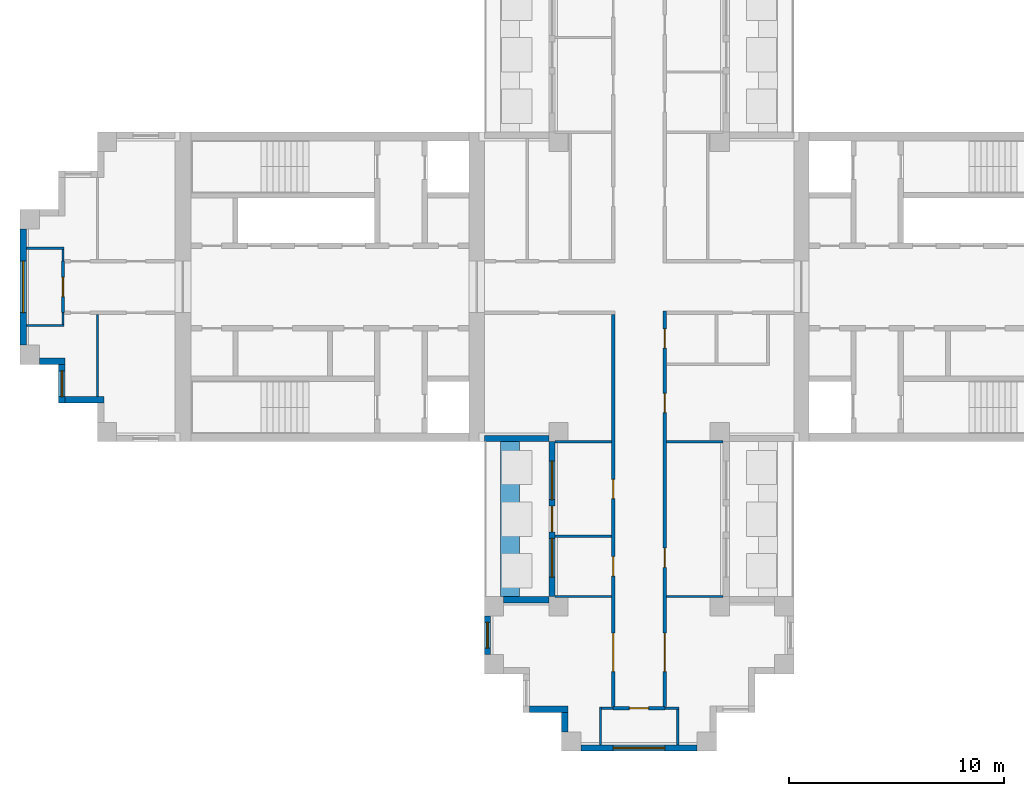
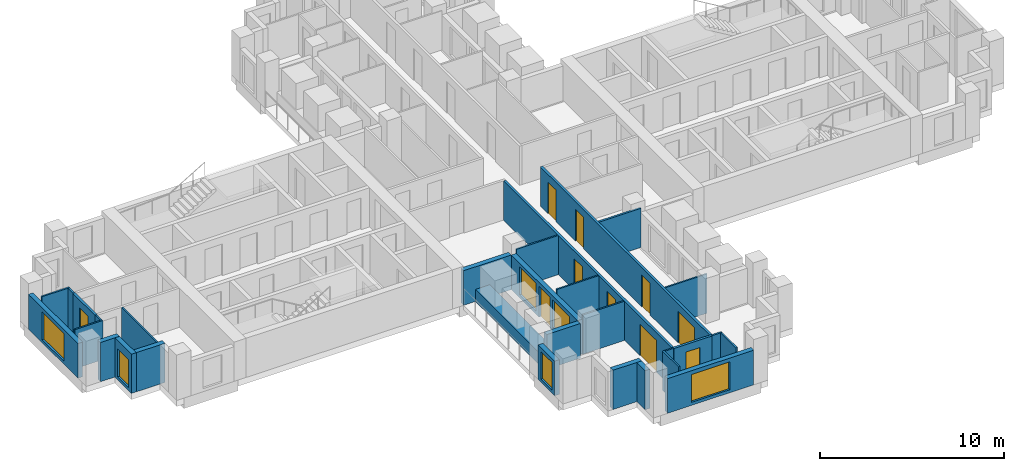
# One storey, part 2 of 10: 30 walls, 10 doors, 6 windows, 16 openings.
"""IFC4 building model written with IfcOpenShell, lengths in metres."""

from ifc_helpers import new_model, si_unit, direction, frame, frame_2d, origin, place, context, subcontext, project, spatial, rectangle, extrude, material, layer, layer_set, type_object, element, fill, save


model = new_model("IFC4")

# Units and contexts
model_context = context("Model", 3, precision=1e-05, world=origin(), true_north=direction((0.0, 1.0)))
body_context = subcontext(model_context, "Body", "Model", "MODEL_VIEW")
ifc_project = project(units=[si_unit("LENGTHUNIT", "METRE"), si_unit("AREAUNIT", "SQUARE_METRE"), si_unit("VOLUMEUNIT", "CUBIC_METRE"), si_unit("PLANEANGLEUNIT", "RADIAN"), si_unit("MASSUNIT", "GRAM", prefix="KILO")], contexts=[model_context])

# Site, building, storey
site_placement = place(None, origin())
site = spatial("IfcSite", under=ifc_project, at=site_placement, CompositionType="ELEMENT")
building_placement = place(site_placement, origin())
building = spatial("IfcBuilding", under=site, at=building_placement, Name="Fustian Cross Tower", CompositionType="ELEMENT")
storey_placement = place(building_placement, frame((0.0, 0.0, 213.89990234375)))
storey = spatial("IfcBuildingStorey", under=building, at=storey_placement, Name="L67", CompositionType="ELEMENT", Elevation=213.89990234375)

# Wall, opening, door
ifc_material_1 = material(Name="Plasterboard on steel stud", Category="steel")
ifc_layer_1 = layer(ifc_material_1, 0.14990234375)
ifc_layer_set_1 = layer_set([ifc_layer_1], Name="Plasterboard on steel stud")
wall_type_1 = type_object("IfcWallType", Name="COMPARTMENT WALL 150 EI 60", PredefinedType="PARTITIONING", material=ifc_layer_set_1)
wall_1_placement = place(storey_placement, frame((-26.800048828125, -1.199951171875, 0.0), z_axis=(0.0, 0.0, 1.0), x_axis=(0.0, 1.0, 0.0)))
wall_1 = element("IfcWall", 1, at=wall_1_placement, inside=storey, type_object=wall_type_1, Name="Partition 4", PredefinedType="PARTITIONING", context=body_context, shape_type="SweptSolid", body=[
    extrude(rectangle(XDim=2.39990234375, YDim=0.14990234375, at=frame_2d((1.199951171875, 0.0))), origin(), (0.0, 0.0, 1.0), 2.60009765625),
])
opening_1_placement = place(wall_1_placement, frame((0.75, 0.0, 0.0)))
opening_1 = element("IfcOpeningElement", 2, at=opening_1_placement, cuts=wall_1, Name="Opening D30025", PredefinedType="OPENING", context=body_context, shape_type="SweptSolid", body=[
    extrude(rectangle(XDim=0.89990234375, YDim=2.10009765625, at=frame_2d((0.449951171875, 1.050048828125))), frame((0.0, 0.0849609375, 0.0), z_axis=(0.0, -1.0, 0.0), x_axis=(1.0, 0.0, 0.0)), (0.0, 0.0, 1.0), 0.169921875),
])
ifc_material_2 = material(Name="Timber fire door set", Category="wood")
door_type_1 = type_object("IfcDoorType", Name="FIRE SWING DOOR 900 FD30S", OperationType="SINGLE_SWING_LEFT", PredefinedType="DOOR", material=ifc_material_2)
door_1_placement = place(opening_1_placement, origin())
door_1 = element("IfcDoor", 3, at=door_1_placement, inside=storey, type_object=door_type_1, Name="Door D30025", OperationType="SINGLE_SWING_LEFT", OverallHeight=2.10009765625, OverallWidth=0.89990234375, PredefinedType="DOOR", context=body_context, shape_type="SweptSolid", body=[
    extrude(rectangle(XDim=0.89990234375, YDim=2.10009765625, at=frame_2d((0.449951171875, 1.050048828125))), frame((0.0, 0.02490234375, 0.0), z_axis=(0.0, -1.0, 0.0), x_axis=(1.0, 0.0, 0.0)), (0.0, 0.0, 1.0), 0.050048828125),
])
fill(opening_1, door_1)

# Wall, openings, doors
wall_2_placement = place(storey_placement, frame((-1.199951171875, -19.52490234375, 0.0), z_axis=(0.0, 0.0, 1.0), x_axis=(0.0, 1.0, 0.0)))
wall_2 = element("IfcWall", 4, at=wall_2_placement, inside=storey, type_object=wall_type_1, Name="Partition 28", PredefinedType="PARTITIONING", context=body_context, shape_type="SweptSolid", body=[
    extrude(rectangle(XDim=18.25, YDim=0.14990234375, at=frame_2d((9.125, 0.0))), origin(), (0.0, 0.0, 1.0), 2.60009765625),
])
opening_2_placement = place(wall_2_placement, frame((6.074951171875, 0.0, 0.0)))
opening_2 = element("IfcOpeningElement", 5, at=opening_2_placement, cuts=wall_2, Name="Opening D30033", PredefinedType="OPENING", context=body_context, shape_type="SweptSolid", body=[
    extrude(rectangle(XDim=0.89990234375, YDim=2.10009765625, at=frame_2d((0.449951171875, 1.050048828125))), frame((0.0, 0.0849609375, 0.0), z_axis=(0.0, -1.0, 0.0), x_axis=(1.0, 0.0, 0.0)), (0.0, 0.0, 1.0), 0.169921875),
])
opening_3_placement = place(wall_2_placement, frame((9.675048828125, 0.0, 0.0)))
opening_3 = element("IfcOpeningElement", 6, at=opening_3_placement, cuts=wall_2, Name="Opening D30034", PredefinedType="OPENING", context=body_context, shape_type="SweptSolid", body=[
    extrude(rectangle(XDim=0.89990234375, YDim=2.10009765625, at=frame_2d((0.449951171875, 1.050048828125))), frame((0.0, 0.0849609375, 0.0), z_axis=(0.0, -1.0, 0.0), x_axis=(1.0, 0.0, 0.0)), (0.0, 0.0, 1.0), 0.169921875),
])
opening_4_placement = place(wall_2_placement, frame((1.625, 0.0, 0.0)))
opening_4 = element("IfcOpeningElement", 7, at=opening_4_placement, cuts=wall_2, Name="Opening D30035", PredefinedType="OPENING", context=body_context, shape_type="SweptSolid", body=[
    extrude(rectangle(XDim=1.800048828125, YDim=2.10009765625, at=frame_2d((0.89990234375, 1.050048828125))), frame((0.0, 0.0849609375, 0.0), z_axis=(0.0, -1.0, 0.0), x_axis=(1.0, 0.0, 0.0)), (0.0, 0.0, 1.0), 0.169921875),
])
ifc_material_3 = material(Name="Timber fire door set", Category="wood")
door_type_2 = type_object("IfcDoorType", Name="FIRE DOUBLE DOOR 1800 FD30S", OperationType="DOUBLE_DOOR_DOUBLE_SWING", PredefinedType="DOOR", material=ifc_material_3)
door_2_placement = place(opening_4_placement, frame((1.800048828125, 0.0, 0.0), z_axis=(0.0, 0.0, 1.0), x_axis=(-1.0, 0.0, 0.0)))
door_2 = element("IfcDoor", 8, at=door_2_placement, inside=storey, type_object=door_type_2, Name="Door D30035", OperationType="DOUBLE_DOOR_DOUBLE_SWING", OverallHeight=2.10009765625, OverallWidth=1.800048828125, PredefinedType="DOOR", context=body_context, shape_type="SweptSolid", body=[
    extrude(rectangle(XDim=1.800048828125, YDim=2.10009765625, at=frame_2d((0.89990234375, 1.050048828125))), frame((0.0, 0.02490234375, 0.0), z_axis=(0.0, -1.0, 0.0), x_axis=(1.0, 0.0, 0.0)), (0.0, 0.0, 1.0), 0.050048828125),
])
fill(opening_4, door_2)
door_3_placement = place(opening_2_placement, origin())
door_3 = element("IfcDoor", 9, at=door_3_placement, inside=storey, type_object=door_type_1, Name="Door D30033", OperationType="SINGLE_SWING_LEFT", OverallHeight=2.10009765625, OverallWidth=0.89990234375, PredefinedType="DOOR", context=body_context, shape_type="SweptSolid", body=[
    extrude(rectangle(XDim=0.89990234375, YDim=2.10009765625, at=frame_2d((0.449951171875, 1.050048828125))), frame((0.0, 0.02490234375, 0.0), z_axis=(0.0, -1.0, 0.0), x_axis=(1.0, 0.0, 0.0)), (0.0, 0.0, 1.0), 0.050048828125),
])
fill(opening_2, door_3)
door_4_placement = place(opening_3_placement, origin())
door_4 = element("IfcDoor", 10, at=door_4_placement, inside=storey, type_object=door_type_1, Name="Door D30034", OperationType="SINGLE_SWING_LEFT", OverallHeight=2.10009765625, OverallWidth=0.89990234375, PredefinedType="DOOR", context=body_context, shape_type="SweptSolid", body=[
    extrude(rectangle(XDim=0.89990234375, YDim=2.10009765625, at=frame_2d((0.449951171875, 1.050048828125))), frame((0.0, 0.02490234375, 0.0), z_axis=(0.0, -1.0, 0.0), x_axis=(1.0, 0.0, 0.0)), (0.0, 0.0, 1.0), 0.050048828125),
])
fill(opening_3, door_4)

# Wall, opening, door
wall_3_placement = place(storey_placement, frame((-1.199951171875, -19.60009765625, 0.0), z_axis=(0.0, 0.0, 1.0), x_axis=(1.0, 0.0, 0.0)))
wall_3 = element("IfcWall", 11, at=wall_3_placement, inside=storey, type_object=wall_type_1, Name="Partition 29", PredefinedType="PARTITIONING", context=body_context, shape_type="SweptSolid", body=[
    extrude(rectangle(XDim=2.39990234375, YDim=0.14990234375, at=frame_2d((1.199951171875, 0.0))), origin(), (0.0, 0.0, 1.0), 2.60009765625),
])
opening_5_placement = place(wall_3_placement, frame((0.75, 0.0, 0.0)))
opening_5 = element("IfcOpeningElement", 12, at=opening_5_placement, cuts=wall_3, Name="Opening D30030", PredefinedType="OPENING", context=body_context, shape_type="SweptSolid", body=[
    extrude(rectangle(XDim=0.89990234375, YDim=2.10009765625, at=frame_2d((0.449951171875, 1.050048828125))), frame((0.0, 0.0849609375, 0.0), z_axis=(0.0, -1.0, 0.0), x_axis=(1.0, 0.0, 0.0)), (0.0, 0.0, 1.0), 0.169921875),
])
door_5_placement = place(opening_5_placement, frame((0.89990234375, 0.0, 0.0), z_axis=(0.0, 0.0, 1.0), x_axis=(-1.0, 0.0, 0.0)))
door_5 = element("IfcDoor", 13, at=door_5_placement, inside=storey, type_object=door_type_1, Name="Door D30030", OperationType="SINGLE_SWING_RIGHT", OverallHeight=2.10009765625, OverallWidth=0.89990234375, PredefinedType="DOOR", context=body_context, shape_type="SweptSolid", body=[
    extrude(rectangle(XDim=0.89990234375, YDim=2.10009765625, at=frame_2d((0.449951171875, 1.050048828125))), frame((0.0, 0.02490234375, 0.0), z_axis=(0.0, -1.0, 0.0), x_axis=(1.0, 0.0, 0.0)), (0.0, 0.0, 1.0), 0.050048828125),
])
fill(opening_5, door_5)

# Wall, openings, doors
wall_4_placement = place(storey_placement, frame((1.199951171875, -19.52490234375, 0.0), z_axis=(0.0, 0.0, 1.0), x_axis=(0.0, 1.0, 0.0)))
wall_4 = element("IfcWall", 14, at=wall_4_placement, inside=storey, type_object=wall_type_1, Name="Partition 32", PredefinedType="PARTITIONING", context=body_context, shape_type="SweptSolid", body=[
    extrude(rectangle(XDim=18.39990234375, YDim=0.14990234375, at=frame_2d((9.199951171875, 0.0))), origin(), (0.0, 0.0, 1.0), 2.60009765625),
])
opening_6_placement = place(wall_4_placement, frame((16.675048828125, 0.0, 0.0)))
opening_6 = element("IfcOpeningElement", 15, at=opening_6_placement, cuts=wall_4, Name="Opening D30006", PredefinedType="OPENING", context=body_context, shape_type="SweptSolid", body=[
    extrude(rectangle(XDim=0.89990234375, YDim=2.10009765625, at=frame_2d((0.449951171875, 1.050048828125))), frame((0.0, 0.0849609375, 0.0), z_axis=(0.0, -1.0, 0.0), x_axis=(1.0, 0.0, 0.0)), (0.0, 0.0, 1.0), 0.169921875),
])
opening_7_placement = place(wall_4_placement, frame((13.675048828125, 0.0, 0.0)))
opening_7 = element("IfcOpeningElement", 16, at=opening_7_placement, cuts=wall_4, Name="Opening D30008", PredefinedType="OPENING", context=body_context, shape_type="SweptSolid", body=[
    extrude(rectangle(XDim=0.89990234375, YDim=2.10009765625, at=frame_2d((0.449951171875, 1.050048828125))), frame((0.0, 0.0849609375, 0.0), z_axis=(0.0, -1.0, 0.0), x_axis=(1.0, 0.0, 0.0)), (0.0, 0.0, 1.0), 0.169921875),
])
opening_8_placement = place(wall_4_placement, frame((6.47509765625, 0.0, 0.0)))
opening_8 = element("IfcOpeningElement", 17, at=opening_8_placement, cuts=wall_4, Name="Opening D30031", PredefinedType="OPENING", context=body_context, shape_type="SweptSolid", body=[
    extrude(rectangle(XDim=0.89990234375, YDim=2.10009765625, at=frame_2d((0.449951171875, 1.050048828125))), frame((0.0, 0.0849609375, 0.0), z_axis=(0.0, -1.0, 0.0), x_axis=(1.0, 0.0, 0.0)), (0.0, 0.0, 1.0), 0.169921875),
])
opening_9_placement = place(wall_4_placement, frame((1.625, 0.0, 0.0)))
opening_9 = element("IfcOpeningElement", 18, at=opening_9_placement, cuts=wall_4, Name="Opening D30032", PredefinedType="OPENING", context=body_context, shape_type="SweptSolid", body=[
    extrude(rectangle(XDim=1.800048828125, YDim=2.10009765625, at=frame_2d((0.89990234375, 1.050048828125))), frame((0.0, 0.0849609375, 0.0), z_axis=(0.0, -1.0, 0.0), x_axis=(1.0, 0.0, 0.0)), (0.0, 0.0, 1.0), 0.169921875),
])
door_6_placement = place(opening_9_placement, origin())
door_6 = element("IfcDoor", 19, at=door_6_placement, inside=storey, type_object=door_type_2, Name="Door D30032", OperationType="DOUBLE_DOOR_DOUBLE_SWING", OverallHeight=2.10009765625, OverallWidth=1.800048828125, PredefinedType="DOOR", context=body_context, shape_type="SweptSolid", body=[
    extrude(rectangle(XDim=1.800048828125, YDim=2.10009765625, at=frame_2d((0.89990234375, 1.050048828125))), frame((0.0, 0.02490234375, 0.0), z_axis=(0.0, -1.0, 0.0), x_axis=(1.0, 0.0, 0.0)), (0.0, 0.0, 1.0), 0.050048828125),
])
fill(opening_9, door_6)
door_7_placement = place(opening_6_placement, frame((0.89990234375, 0.0, 0.0), z_axis=(0.0, 0.0, 1.0), x_axis=(-1.0, 0.0, 0.0)))
door_7 = element("IfcDoor", 20, at=door_7_placement, inside=storey, type_object=door_type_1, Name="Door D30006", OperationType="SINGLE_SWING_RIGHT", OverallHeight=2.10009765625, OverallWidth=0.89990234375, PredefinedType="DOOR", context=body_context, shape_type="SweptSolid", body=[
    extrude(rectangle(XDim=0.89990234375, YDim=2.10009765625, at=frame_2d((0.449951171875, 1.050048828125))), frame((0.0, 0.02490234375, 0.0), z_axis=(0.0, -1.0, 0.0), x_axis=(1.0, 0.0, 0.0)), (0.0, 0.0, 1.0), 0.050048828125),
])
fill(opening_6, door_7)
door_8_placement = place(opening_7_placement, frame((0.89990234375, 0.0, 0.0), z_axis=(0.0, 0.0, 1.0), x_axis=(-1.0, 0.0, 0.0)))
door_8 = element("IfcDoor", 21, at=door_8_placement, inside=storey, type_object=door_type_1, Name="Door D30008", OperationType="SINGLE_SWING_RIGHT", OverallHeight=2.10009765625, OverallWidth=0.89990234375, PredefinedType="DOOR", context=body_context, shape_type="SweptSolid", body=[
    extrude(rectangle(XDim=0.89990234375, YDim=2.10009765625, at=frame_2d((0.449951171875, 1.050048828125))), frame((0.0, 0.02490234375, 0.0), z_axis=(0.0, -1.0, 0.0), x_axis=(1.0, 0.0, 0.0)), (0.0, 0.0, 1.0), 0.050048828125),
])
fill(opening_7, door_8)
door_9_placement = place(opening_8_placement, frame((0.89990234375, 0.0, 0.0), z_axis=(0.0, 0.0, 1.0), x_axis=(-1.0, 0.0, 0.0)))
door_9 = element("IfcDoor", 22, at=door_9_placement, inside=storey, type_object=door_type_1, Name="Door D30031", OperationType="SINGLE_SWING_RIGHT", OverallHeight=2.10009765625, OverallWidth=0.89990234375, PredefinedType="DOOR", context=body_context, shape_type="SweptSolid", body=[
    extrude(rectangle(XDim=0.89990234375, YDim=2.10009765625, at=frame_2d((0.449951171875, 1.050048828125))), frame((0.0, 0.02490234375, 0.0), z_axis=(0.0, -1.0, 0.0), x_axis=(1.0, 0.0, 0.0)), (0.0, 0.0, 1.0), 0.050048828125),
])
fill(opening_8, door_9)

# Walls
ifc_material_4 = material(Name="Plasterboard on steel stud", Category="steel")
ifc_layer_2 = layer(ifc_material_4, 0.10009765625)
ifc_layer_set_2 = layer_set([ifc_layer_2], Name="Plasterboard on steel stud")
wall_type_2 = type_object("IfcWallType", Name="PARTITION 100 STUD", PredefinedType="PARTITIONING", material=ifc_layer_set_2)
for number, where, z_axis, x_axis, name in (
    (23, (-28.5, -1.800048828125, 0.0), (0.0, 0.0, 1.0), (1.0, 0.0, 0.0), "Partition 1"),
    (24, (-28.5, 1.800048828125, 0.0), (0.0, 0.0, 1.0), (1.0, 0.0, 0.0), "Partition 2"),
):
    element("IfcWall", number, at=place(storey_placement, frame(where, z_axis=z_axis, x_axis=x_axis)), inside=storey, type_object=wall_type_2, Name=name, PredefinedType="PARTITIONING", context=body_context, shape_type="SweptSolid", body=[
        extrude(rectangle(XDim=1.75, YDim=0.10009765625, at=frame_2d((0.875, 0.0))), origin(), (0.0, 0.0, 1.0), 2.60009765625),
    ])
for number, where, z_axis, x_axis, name in (
    (25, (-26.800048828125, -1.75, 0.0), (0.0, 0.0, 1.0), (0.0, 1.0, 0.0), "Partition 3"),
    (26, (-26.800048828125, 1.199951171875, 0.0), (0.0, 0.0, 1.0), (0.0, 1.0, 0.0), "Partition 6"),
):
    element("IfcWall", number, at=place(storey_placement, frame(where, z_axis=z_axis, x_axis=x_axis)), inside=storey, type_object=wall_type_2, Name=name, PredefinedType="PARTITIONING", context=body_context, shape_type="SweptSolid", body=[
        extrude(rectangle(XDim=0.550048828125, YDim=0.10009765625, at=frame_2d((0.27490234375, 0.0))), origin(), (0.0, 0.0, 1.0), 2.60009765625),
    ])
wall_5_placement = place(storey_placement, frame((-25.199951171875, -5.10009765625, 0.0), z_axis=(0.0, 0.0, 1.0), x_axis=(0.0, 1.0, 0.0)))
element("IfcWall", 27, at=wall_5_placement, inside=storey, type_object=wall_type_2, Name="Partition 8", PredefinedType="PARTITIONING", context=body_context, shape_type="SweptSolid", body=[
    extrude(rectangle(XDim=3.8251953125, YDim=0.10009765625, at=frame_2d((1.91259765625, 0.0))), origin(), (0.0, 0.0, 1.0), 2.60009765625),
])
for number, where, z_axis, x_axis, name in (
    (28, (-3.89990234375, -14.39990234375, 0.0), (0.0, 0.0, 1.0), (1.0, 0.0, 0.0), "Partition 14"),
    (29, (-3.89990234375, -11.60009765625, 0.0), (0.0, 0.0, 1.0), (1.0, 0.0, 0.0), "Partition 15"),
    (30, (-3.89990234375, -7.199951171875, 0.0), (0.0, 0.0, 1.0), (1.0, 0.0, 0.0), "Partition 16"),
):
    element("IfcWall", number, at=place(storey_placement, frame(where, z_axis=z_axis, x_axis=x_axis)), inside=storey, type_object=wall_type_2, Name=name, PredefinedType="PARTITIONING", context=body_context, shape_type="SweptSolid", body=[
        extrude(rectangle(XDim=2.625, YDim=0.10009765625, at=frame_2d((1.3125, 0.0))), origin(), (0.0, 0.0, 1.0), 2.60009765625),
    ])
wall_6_placement = place(storey_placement, frame((-1.800048828125, -21.300048828125, 0.0), z_axis=(0.0, 0.0, 1.0), x_axis=(0.0, 1.0, 0.0)))
element("IfcWall", 31, at=wall_6_placement, inside=storey, type_object=wall_type_2, Name="Partition 24", PredefinedType="PARTITIONING", context=body_context, shape_type="SweptSolid", body=[
    extrude(rectangle(XDim=1.75, YDim=0.10009765625, at=frame_2d((0.875, 0.0))), origin(), (0.0, 0.0, 1.0), 2.60009765625),
])
wall_7_placement = place(storey_placement, frame((-1.75, -19.60009765625, 0.0), z_axis=(0.0, 0.0, 1.0), x_axis=(1.0, 0.0, 0.0)))
element("IfcWall", 32, at=wall_7_placement, inside=storey, type_object=wall_type_2, Name="Partition 25", PredefinedType="PARTITIONING", context=body_context, shape_type="SweptSolid", body=[
    extrude(rectangle(XDim=0.550048828125, YDim=0.10009765625, at=frame_2d((0.27490234375, 0.0))), origin(), (0.0, 0.0, 1.0), 2.60009765625),
])
wall_8_placement = place(storey_placement, frame((1.199951171875, -19.60009765625, 0.0), z_axis=(0.0, 0.0, 1.0), x_axis=(1.0, 0.0, 0.0)))
element("IfcWall", 33, at=wall_8_placement, inside=storey, type_object=wall_type_2, Name="Partition 33", PredefinedType="PARTITIONING", context=body_context, shape_type="SweptSolid", body=[
    extrude(rectangle(XDim=0.650146484375, YDim=0.10009765625, at=frame_2d((0.3251953125, 0.0))), origin(), (0.0, 0.0, 1.0), 2.60009765625),
])
wall_9_placement = place(storey_placement, frame((1.27490234375, -14.39990234375, 0.0), z_axis=(0.0, 0.0, 1.0), x_axis=(1.0, 0.0, 0.0)))
element("IfcWall", 34, at=wall_9_placement, inside=storey, type_object=wall_type_2, Name="Partition 34", PredefinedType="PARTITIONING", context=body_context, shape_type="SweptSolid", body=[
    extrude(rectangle(XDim=2.625, YDim=0.10009765625, at=frame_2d((1.3125, 0.0))), origin(), (0.0, 0.0, 1.0), 2.60009765625),
])
wall_10_placement = place(storey_placement, frame((1.800048828125, -21.300048828125, 0.0), z_axis=(0.0, 0.0, 1.0), x_axis=(0.0, 1.0, 0.0)))
element("IfcWall", 35, at=wall_10_placement, inside=storey, type_object=wall_type_2, Name="Partition 46", PredefinedType="PARTITIONING", context=body_context, shape_type="SweptSolid", body=[
    extrude(rectangle(XDim=1.650146484375, YDim=0.10009765625, at=frame_2d((0.8251953125, 0.0))), origin(), (0.0, 0.0, 1.0), 2.60009765625),
])
ifc_material_5 = material(Name="Concrete C40/50", Category="concrete")
ifc_layer_3 = layer(ifc_material_5, 0.89990234375)
ifc_layer_set_3 = layer_set([ifc_layer_3], Name="Concrete C40/50")
wall_type_3 = type_object("IfcWallType", Name="PK1 PLANTER 900", PredefinedType="PARAPET", material=ifc_layer_set_3)
wall_11_placement = place(storey_placement, frame((-6.0, -14.39990234375, 0.0), z_axis=(0.0, 0.0, 1.0), x_axis=(0.0, 1.0, 0.0)))
element("IfcWall", 36, at=wall_11_placement, inside=storey, type_object=wall_type_3, Name="PLANTER", PredefinedType="PARAPET", context=body_context, shape_type="SweptSolid", body=[
    extrude(rectangle(XDim=7.199951171875, YDim=0.89990234375, at=frame_2d((3.60009765625, 0.0))), origin(), (0.0, 0.0, 1.0), 0.800048828125),
])
ifc_material_6 = material(Name="Plasterboard on steel stud", Category="steel")
ifc_layer_4 = layer(ifc_material_6, 0.125)
ifc_layer_set_4 = layer_set([ifc_layer_4], Name="Plasterboard on steel stud")
wall_type_4 = type_object("IfcWallType", Name="WET WALL 125 STUD", PredefinedType="PARTITIONING", material=ifc_layer_set_4)
wall_12_placement = place(storey_placement, frame((1.27490234375, -7.199951171875, 0.0), z_axis=(0.0, 0.0, 1.0), x_axis=(1.0, 0.0, 0.0)))
element("IfcWall", 37, at=wall_12_placement, inside=storey, type_object=wall_type_4, Name="Partition 35", PredefinedType="PARTITIONING", context=body_context, shape_type="SweptSolid", body=[
    extrude(rectangle(XDim=2.625, YDim=0.125, at=frame_2d((1.3125, 0.0))), origin(), (0.0, 0.0, 1.0), 2.60009765625),
])

# Wall, opening, window
ifc_material_7 = material(Name="Dark aluminium cladding on insulated backing wall", Category="aluminium")
ifc_layer_5 = layer(ifc_material_7, 0.300048828125)
ifc_layer_set_5 = layer_set([ifc_layer_5], Name="Dark aluminium cladding on insulated backing wall")
wall_type_5 = type_object("IfcWallType", Name="XW1 EXTERNAL WALL 300", PredefinedType="SOLIDWALL", material=ifc_layer_set_5)
wall_13_placement = place(storey_placement, frame((-28.64990234375, 2.699951171875, 0.0), z_axis=(0.0, 0.0, 1.0), x_axis=(0.0, -1.0, 0.0)))
wall_13 = element("IfcWall", 38, at=wall_13_placement, inside=storey, type_object=wall_type_5, Name="External wall", PredefinedType="SOLIDWALL", context=body_context, shape_type="SweptSolid", body=[
    extrude(rectangle(XDim=5.39990234375, YDim=0.300048828125, at=frame_2d((2.699951171875, 0.0))), origin(), (0.0, 0.0, 1.0), 2.300048828125),
])
opening_10_placement = place(wall_13_placement, frame((1.5, 0.0, 0.199951171875)))
opening_10 = element("IfcOpeningElement", 39, at=opening_10_placement, cuts=wall_13, Name="Opening WN1", PredefinedType="OPENING", context=body_context, shape_type="SweptSolid", body=[
    extrude(rectangle(XDim=2.39990234375, YDim=1.85009765625, at=frame_2d((1.199951171875, 0.925048828125))), frame((0.0, 0.159912109375, 0.0), z_axis=(0.0, -1.0, 0.0), x_axis=(1.0, 0.0, 0.0)), (0.0, 0.0, 1.0), 0.320068359375),
])
ifc_material_8 = material(Name="Dark anodised aluminium and double glazing", Category="aluminium")
window_type_1 = type_object("IfcWindowType", Name="WN1 WINDOW 2400X1850", PartitioningType="SINGLE_PANEL", PredefinedType="WINDOW", material=ifc_material_8)
window_1_placement = place(opening_10_placement, origin())
window_1 = element("IfcWindow", 40, at=window_1_placement, inside=storey, type_object=window_type_1, Name="Window", OverallHeight=1.85009765625, OverallWidth=2.39990234375, PartitioningType="SINGLE_PANEL", PredefinedType="WINDOW", context=body_context, shape_type="SweptSolid", body=[
    extrude(rectangle(XDim=2.39990234375, YDim=1.85009765625, at=frame_2d((1.199951171875, 0.925048828125))), frame((0.0, 0.030029296875, 0.0), z_axis=(0.0, -1.0, 0.0), x_axis=(1.0, 0.0, 0.0)), (0.0, 0.0, 1.0), 0.06005859375),
])
fill(opening_10, window_1)

# Wall
wall_14_placement = place(storey_placement, frame((-27.89990234375, -3.449951171875, 0.0), z_axis=(0.0, 0.0, 1.0), x_axis=(1.0, 0.0, 0.0)))
element("IfcWall", 41, at=wall_14_placement, inside=storey, type_object=wall_type_5, Name="External wall", PredefinedType="SOLIDWALL", context=body_context, shape_type="SweptSolid", body=[
    extrude(rectangle(XDim=1.199951171875, YDim=0.300048828125, at=frame_2d((0.60009765625, 0.0))), origin(), (0.0, 0.0, 1.0), 2.60009765625),
])

# Wall, opening, window
wall_15_placement = place(storey_placement, frame((-26.85009765625, -3.60009765625, 0.0), z_axis=(0.0, 0.0, 1.0), x_axis=(0.0, -1.0, 0.0)))
wall_15 = element("IfcWall", 42, at=wall_15_placement, inside=storey, type_object=wall_type_5, Name="External wall", PredefinedType="SOLIDWALL", context=body_context, shape_type="SweptSolid", body=[
    extrude(rectangle(XDim=1.7998046875, YDim=0.300048828125, at=frame_2d((0.89990234375, 0.0))), origin(), (0.0, 0.0, 1.0), 2.60009765625),
])
opening_11_placement = place(wall_15_placement, frame((0.300048828125, 0.0, 0.199951171875)))
opening_11 = element("IfcOpeningElement", 43, at=opening_11_placement, cuts=wall_15, Name="Opening WN3", PredefinedType="OPENING", context=body_context, shape_type="SweptSolid", body=[
    extrude(rectangle(XDim=1.199951171875, YDim=1.85009765625, at=frame_2d((0.60009765625, 0.925048828125))), frame((0.0, 0.159912109375, 0.0), z_axis=(0.0, -1.0, 0.0), x_axis=(1.0, 0.0, 0.0)), (0.0, 0.0, 1.0), 0.320068359375),
])
ifc_material_9 = material(Name="Dark anodised aluminium and double glazing", Category="aluminium")
window_type_2 = type_object("IfcWindowType", Name="WN3 WINDOW 1200X1850", PartitioningType="SINGLE_PANEL", PredefinedType="WINDOW", material=ifc_material_9)
window_2_placement = place(opening_11_placement, origin())
window_2 = element("IfcWindow", 44, at=window_2_placement, inside=storey, type_object=window_type_2, Name="Window", OverallHeight=1.85009765625, OverallWidth=1.199951171875, PartitioningType="SINGLE_PANEL", PredefinedType="WINDOW", context=body_context, shape_type="SweptSolid", body=[
    extrude(rectangle(XDim=1.199951171875, YDim=1.85009765625, at=frame_2d((0.60009765625, 0.925048828125))), frame((0.0, 0.030029296875, 0.0), z_axis=(0.0, -1.0, 0.0), x_axis=(1.0, 0.0, 0.0)), (0.0, 0.0, 1.0), 0.06005859375),
])
fill(opening_11, window_2)

# Walls
wall_16_placement = place(storey_placement, frame((-26.699951171875, -5.25, 0.0), z_axis=(0.0, 0.0, 1.0), x_axis=(1.0, 0.0, 0.0)))
element("IfcWall", 45, at=wall_16_placement, inside=storey, type_object=wall_type_5, Name="External wall", PredefinedType="SOLIDWALL", context=body_context, shape_type="SweptSolid", body=[
    extrude(rectangle(XDim=1.800048828125, YDim=0.300048828125, at=frame_2d((0.89990234375, 0.0))), origin(), (0.0, 0.0, 1.0), 2.60009765625),
])
wall_17_placement = place(storey_placement, frame((-7.199951171875, -7.050048828125, 0.0), z_axis=(0.0, 0.0, 1.0), x_axis=(1.0, 0.0, 0.0)))
element("IfcWall", 46, at=wall_17_placement, inside=storey, type_object=wall_type_5, Name="External wall", PredefinedType="SOLIDWALL", context=body_context, shape_type="SweptSolid", body=[
    extrude(rectangle(XDim=3.0, YDim=0.300048828125, at=frame_2d((1.5, 0.0))), origin(), (0.0, 0.0, 1.0), 2.300048828125),
])

# Wall, openings, door, windows
wall_18_placement = place(storey_placement, frame((-4.050048828125, -7.199951171875, 0.0), z_axis=(0.0, 0.0, 1.0), x_axis=(0.0, -1.0, 0.0)))
wall_18 = element("IfcWall", 47, at=wall_18_placement, inside=storey, type_object=wall_type_5, Name="External wall", PredefinedType="SOLIDWALL", context=body_context, shape_type="SweptSolid", body=[
    extrude(rectangle(XDim=7.199951171875, YDim=0.300048828125, at=frame_2d((3.60009765625, 0.0))), origin(), (0.0, 0.0, 1.0), 2.300048828125),
])
opening_12_placement = place(wall_18_placement, frame((3.0, 0.0, 0.0)))
opening_12 = element("IfcOpeningElement", 48, at=opening_12_placement, cuts=wall_18, Name="Opening XD4", PredefinedType="OPENING", context=body_context, shape_type="SweptSolid", body=[
    extrude(rectangle(XDim=1.199951171875, YDim=2.050048828125, at=frame_2d((0.60009765625, 1.02490234375))), frame((0.0, 0.159912109375, 0.0), z_axis=(0.0, -1.0, 0.0), x_axis=(1.0, 0.0, 0.0)), (0.0, 0.0, 1.0), 0.320068359375),
])
opening_13_placement = place(wall_18_placement, frame((0.89990234375, 0.0, 0.199951171875)))
opening_13 = element("IfcOpeningElement", 49, at=opening_13_placement, cuts=wall_18, Name="Opening WN2", PredefinedType="OPENING", context=body_context, shape_type="SweptSolid", body=[
    extrude(rectangle(XDim=1.800048828125, YDim=1.85009765625, at=frame_2d((0.89990234375, 0.925048828125))), frame((0.0, 0.159912109375, 0.0), z_axis=(0.0, -1.0, 0.0), x_axis=(1.0, 0.0, 0.0)), (0.0, 0.0, 1.0), 0.320068359375),
])
opening_14_placement = place(wall_18_placement, frame((4.5, 0.0, 0.199951171875)))
opening_14 = element("IfcOpeningElement", 50, at=opening_14_placement, cuts=wall_18, Name="Opening WN2", PredefinedType="OPENING", context=body_context, shape_type="SweptSolid", body=[
    extrude(rectangle(XDim=1.800048828125, YDim=1.85009765625, at=frame_2d((0.89990234375, 0.925048828125))), frame((0.0, 0.159912109375, 0.0), z_axis=(0.0, -1.0, 0.0), x_axis=(1.0, 0.0, 0.0)), (0.0, 0.0, 1.0), 0.320068359375),
])
ifc_material_10 = material(Name="Dark anodised aluminium and double glazing", Category="aluminium")
door_type_3 = type_object("IfcDoorType", Name="ED1 BALCONY DOOR 1200X2050", OperationType="SINGLE_SWING_LEFT", PredefinedType="DOOR", material=ifc_material_10)
door_10_placement = place(opening_12_placement, origin())
door_10 = element("IfcDoor", 51, at=door_10_placement, inside=storey, type_object=door_type_3, Name="Balcony door", OperationType="SINGLE_SWING_LEFT", OverallHeight=2.050048828125, OverallWidth=1.199951171875, PredefinedType="DOOR", context=body_context, shape_type="SweptSolid", body=[
    extrude(rectangle(XDim=1.199951171875, YDim=2.050048828125, at=frame_2d((0.60009765625, 1.02490234375))), frame((0.0, 0.02490234375, 0.0), z_axis=(0.0, -1.0, 0.0), x_axis=(1.0, 0.0, 0.0)), (0.0, 0.0, 1.0), 0.050048828125),
])
fill(opening_12, door_10)
ifc_material_11 = material(Name="Dark anodised aluminium and double glazing", Category="aluminium")
window_type_3 = type_object("IfcWindowType", Name="WN2 WINDOW 1800X1850", PartitioningType="SINGLE_PANEL", PredefinedType="WINDOW", material=ifc_material_11)
window_3_placement = place(opening_13_placement, origin())
window_3 = element("IfcWindow", 52, at=window_3_placement, inside=storey, type_object=window_type_3, Name="Window", OverallHeight=1.85009765625, OverallWidth=1.800048828125, PartitioningType="SINGLE_PANEL", PredefinedType="WINDOW", context=body_context, shape_type="SweptSolid", body=[
    extrude(rectangle(XDim=1.800048828125, YDim=1.85009765625, at=frame_2d((0.89990234375, 0.925048828125))), frame((0.0, 0.030029296875, 0.0), z_axis=(0.0, -1.0, 0.0), x_axis=(1.0, 0.0, 0.0)), (0.0, 0.0, 1.0), 0.06005859375),
])
fill(opening_13, window_3)
window_4_placement = place(opening_14_placement, origin())
window_4 = element("IfcWindow", 53, at=window_4_placement, inside=storey, type_object=window_type_3, Name="Window", OverallHeight=1.85009765625, OverallWidth=1.800048828125, PartitioningType="SINGLE_PANEL", PredefinedType="WINDOW", context=body_context, shape_type="SweptSolid", body=[
    extrude(rectangle(XDim=1.800048828125, YDim=1.85009765625, at=frame_2d((0.89990234375, 0.925048828125))), frame((0.0, 0.030029296875, 0.0), z_axis=(0.0, -1.0, 0.0), x_axis=(1.0, 0.0, 0.0)), (0.0, 0.0, 1.0), 0.06005859375),
])
fill(opening_14, window_4)

# Wall
wall_19_placement = place(storey_placement, frame((-4.199951171875, -14.550048828125, 0.0), z_axis=(0.0, 0.0, 1.0), x_axis=(-1.0, 0.0, 0.0)))
element("IfcWall", 54, at=wall_19_placement, inside=storey, type_object=wall_type_5, Name="External wall", PredefinedType="SOLIDWALL", context=body_context, shape_type="SweptSolid", body=[
    extrude(rectangle(XDim=2.10009765625, YDim=0.300048828125, at=frame_2d((1.050048828125, 0.0))), origin(), (0.0, 0.0, 1.0), 2.300048828125),
])

# Wall, opening, window
wall_20_placement = place(storey_placement, frame((-7.050048828125, -15.300048828125, 0.0), z_axis=(0.0, 0.0, 1.0), x_axis=(0.0, -1.0, 0.0)))
wall_20 = element("IfcWall", 55, at=wall_20_placement, inside=storey, type_object=wall_type_5, Name="External wall", PredefinedType="SOLIDWALL", context=body_context, shape_type="SweptSolid", body=[
    extrude(rectangle(XDim=1.800048828125, YDim=0.300048828125, at=frame_2d((0.89990234375, 0.0))), origin(), (0.0, 0.0, 1.0), 2.300048828125),
])
opening_15_placement = place(wall_20_placement, frame((0.300048828125, 0.0, 0.199951171875)))
opening_15 = element("IfcOpeningElement", 56, at=opening_15_placement, cuts=wall_20, Name="Opening WN3", PredefinedType="OPENING", context=body_context, shape_type="SweptSolid", body=[
    extrude(rectangle(XDim=1.199951171875, YDim=1.85009765625, at=frame_2d((0.60009765625, 0.925048828125))), frame((0.0, 0.159912109375, 0.0), z_axis=(0.0, -1.0, 0.0), x_axis=(1.0, 0.0, 0.0)), (0.0, 0.0, 1.0), 0.320068359375),
])
window_5_placement = place(opening_15_placement, origin())
window_5 = element("IfcWindow", 57, at=window_5_placement, inside=storey, type_object=window_type_2, Name="Window", OverallHeight=1.85009765625, OverallWidth=1.199951171875, PartitioningType="SINGLE_PANEL", PredefinedType="WINDOW", context=body_context, shape_type="SweptSolid", body=[
    extrude(rectangle(XDim=1.199951171875, YDim=1.85009765625, at=frame_2d((0.60009765625, 0.925048828125))), frame((0.0, 0.030029296875, 0.0), z_axis=(0.0, -1.0, 0.0), x_axis=(1.0, 0.0, 0.0)), (0.0, 0.0, 1.0), 0.06005859375),
])
fill(opening_15, window_5)

# Walls
wall_21_placement = place(storey_placement, frame((-5.10009765625, -19.64990234375, 0.0), z_axis=(0.0, 0.0, 1.0), x_axis=(1.0, 0.0, 0.0)))
element("IfcWall", 58, at=wall_21_placement, inside=storey, type_object=wall_type_5, Name="External wall", PredefinedType="SOLIDWALL", context=body_context, shape_type="SweptSolid", body=[
    extrude(rectangle(XDim=1.800048828125, YDim=0.300048828125, at=frame_2d((0.89990234375, 0.0))), origin(), (0.0, 0.0, 1.0), 2.60009765625),
])
wall_22_placement = place(storey_placement, frame((-3.449951171875, -19.800048828125, 0.0), z_axis=(0.0, 0.0, 1.0), x_axis=(0.0, -1.0, 0.0)))
element("IfcWall", 59, at=wall_22_placement, inside=storey, type_object=wall_type_5, Name="External wall", PredefinedType="SOLIDWALL", context=body_context, shape_type="SweptSolid", body=[
    extrude(rectangle(XDim=0.89990234375, YDim=0.300048828125, at=frame_2d((0.449951171875, 0.0))), origin(), (0.0, 0.0, 1.0), 2.60009765625),
])

# Wall, opening, window
wall_23_placement = place(storey_placement, frame((-2.699951171875, -21.449951171875, 0.0), z_axis=(0.0, 0.0, 1.0), x_axis=(1.0, 0.0, 0.0)))
wall_23 = element("IfcWall", 60, at=wall_23_placement, inside=storey, type_object=wall_type_5, Name="External wall", PredefinedType="SOLIDWALL", context=body_context, shape_type="SweptSolid", body=[
    extrude(rectangle(XDim=5.39990234375, YDim=0.300048828125, at=frame_2d((2.699951171875, 0.0))), origin(), (0.0, 0.0, 1.0), 2.300048828125),
])
opening_16_placement = place(wall_23_placement, frame((1.5, 0.0, 0.199951171875)))
opening_16 = element("IfcOpeningElement", 61, at=opening_16_placement, cuts=wall_23, Name="Opening WN1", PredefinedType="OPENING", context=body_context, shape_type="SweptSolid", body=[
    extrude(rectangle(XDim=2.39990234375, YDim=1.85009765625, at=frame_2d((1.199951171875, 0.925048828125))), frame((0.0, 0.159912109375, 0.0), z_axis=(0.0, -1.0, 0.0), x_axis=(1.0, 0.0, 0.0)), (0.0, 0.0, 1.0), 0.320068359375),
])
window_6_placement = place(opening_16_placement, origin())
window_6 = element("IfcWindow", 62, at=window_6_placement, inside=storey, type_object=window_type_1, Name="Window", OverallHeight=1.85009765625, OverallWidth=2.39990234375, PartitioningType="SINGLE_PANEL", PredefinedType="WINDOW", context=body_context, shape_type="SweptSolid", body=[
    extrude(rectangle(XDim=2.39990234375, YDim=1.85009765625, at=frame_2d((1.199951171875, 0.925048828125))), frame((0.0, 0.030029296875, 0.0), z_axis=(0.0, -1.0, 0.0), x_axis=(1.0, 0.0, 0.0)), (0.0, 0.0, 1.0), 0.06005859375),
])
fill(opening_16, window_6)

save(model, "model.ifc")
